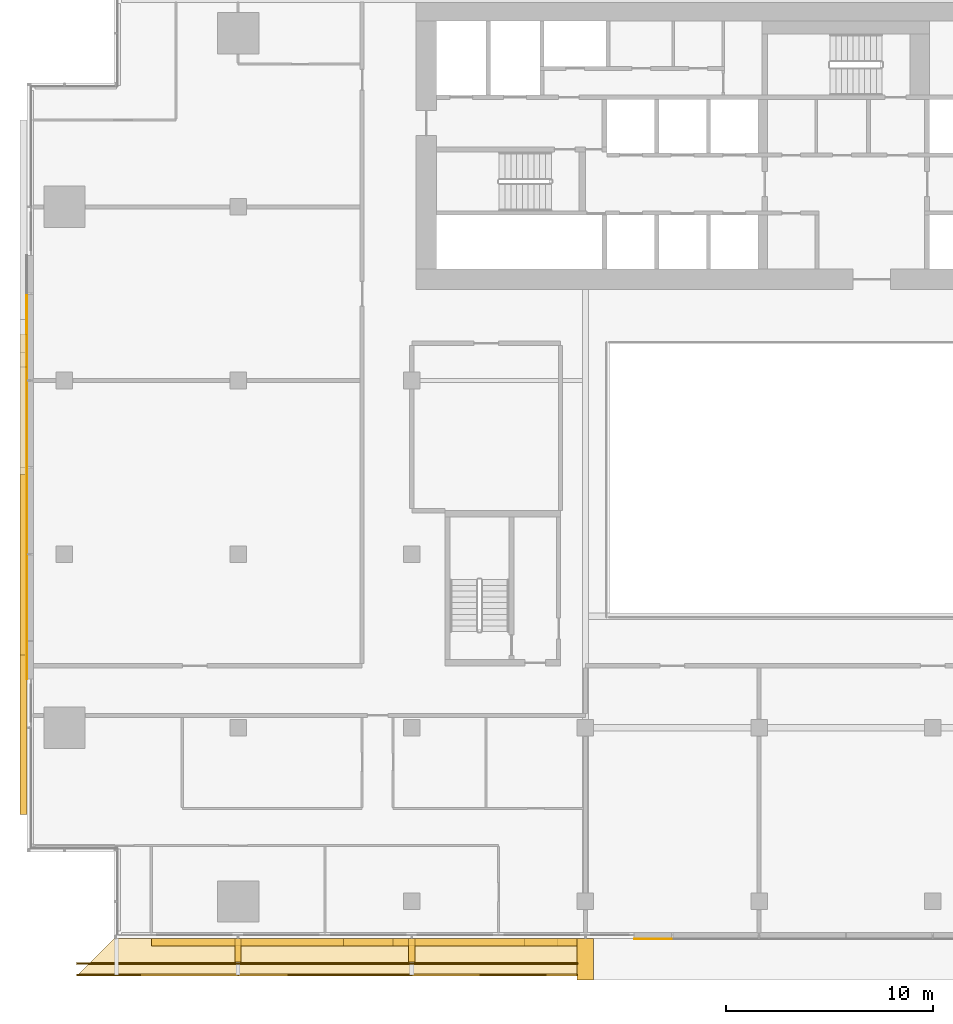
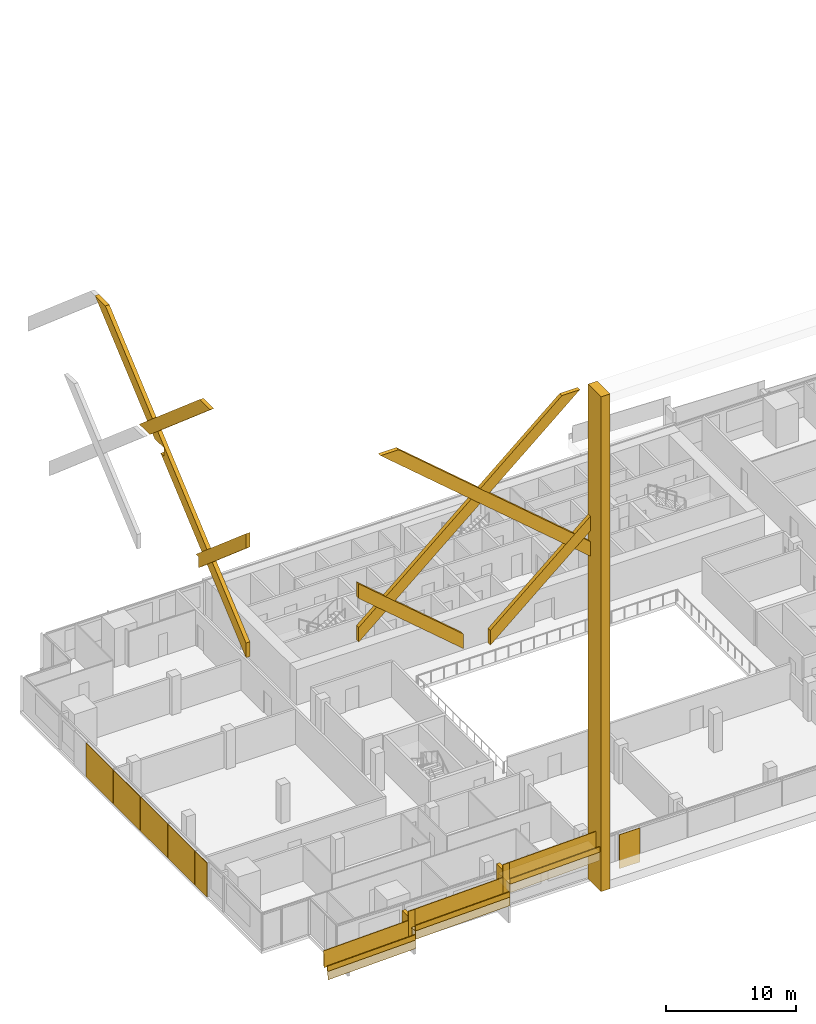
# One storey, part 26 of 30: 22 coverings, 5 railings.
"""IFC4 building model written with IfcOpenShell, lengths in metres."""

from ifc_helpers import new_model, si_unit, direction, frame, origin, origin_2d, place, context, subcontext, project, spatial, polyline, rectangle, outline, extrude, material, layer, layer_set, type_object, element, save


model = new_model("IFC4")

# Units and contexts
model_context = context("Model", 3, precision=1e-05, world=origin(), true_north=direction((0.0, 1.0)))
body_context = subcontext(model_context, "Body", "Model", "MODEL_VIEW")
ifc_project = project(units=[si_unit("LENGTHUNIT", "METRE"), si_unit("AREAUNIT", "SQUARE_METRE"), si_unit("VOLUMEUNIT", "CUBIC_METRE"), si_unit("PLANEANGLEUNIT", "RADIAN"), si_unit("MASSUNIT", "GRAM", prefix="KILO")], contexts=[model_context])

# Site, building, storey
site_placement = place(None, origin())
site = spatial("IfcSite", under=ifc_project, at=site_placement, CompositionType="ELEMENT")
building_placement = place(site_placement, origin())
building = spatial("IfcBuilding", under=site, at=building_placement, Name="Saffron Gate Tower", CompositionType="ELEMENT")
storey_placement = place(building_placement, frame((0.0, 0.0, 95.25)))
storey = spatial("IfcBuildingStorey", under=building, at=storey_placement, Name="L21", CompositionType="ELEMENT", Elevation=95.25)

# Coverings
ifc_material_1 = material(Name="Ceramic-printed bronze insulated panel")
ifc_layer_1 = layer(ifc_material_1, 0.0400390625)
ifc_layer_set_1 = layer_set([ifc_layer_1], Name="CLDA ceramic-printed bay cladding 40")
covering_type_1 = type_object("IfcCoveringType", Name="CLDA ceramic-printed bay cladding 40", PredefinedType="CLADDING", material=ifc_layer_set_1)
covering_1_placement = place(storey_placement, origin())
element("IfcCovering", 1, at=covering_1_placement, inside=storey, type_object=covering_type_1, Name="CLADDING bay panel in front of the arch", PredefinedType="CLADDING", context=body_context, shape_type="SweptSolid", body=[
    extrude(outline(polyline([(77.350830078125, 29.9599609375), (79.169921875, 29.9599609375), (79.169921875, 30.0), (77.350830078125, 30.0), (77.350830078125, 29.9599609375)])), origin(), (0.0, 0.0, 1.0), 3.199951171875),
])
covering_2_placement = place(storey_placement, origin())
element("IfcCovering", 2, at=covering_2_placement, inside=storey, type_object=covering_type_1, Name="CLADDING bay panel in front of the arch", PredefinedType="CLADDING", context=body_context, shape_type="SweptSolid", body=[
    extrude(outline(polyline([(47.9599609375, 61.169921875), (47.9599609375, 57.030029296875), (48.0, 57.030029296875), (48.0, 61.169921875), (47.9599609375, 61.169921875)])), origin(), (0.0, 0.0, 1.0), 3.199951171875),
])
covering_3_placement = place(storey_placement, origin())
element("IfcCovering", 3, at=covering_3_placement, inside=storey, type_object=covering_type_1, Name="CLADDING bay panel in front of the arch", PredefinedType="CLADDING", context=body_context, shape_type="SweptSolid", body=[
    extrude(outline(polyline([(47.9599609375, 56.969970703125), (47.9599609375, 52.830078125), (48.0, 52.830078125), (48.0, 56.969970703125), (47.9599609375, 56.969970703125)])), origin(), (0.0, 0.0, 1.0), 3.199951171875),
])
covering_4_placement = place(storey_placement, origin())
element("IfcCovering", 4, at=covering_4_placement, inside=storey, type_object=covering_type_1, Name="CLADDING bay panel in front of the arch", PredefinedType="CLADDING", context=body_context, shape_type="SweptSolid", body=[
    extrude(outline(polyline([(47.9599609375, 52.77001953125), (47.9599609375, 48.6298828125), (48.0, 48.6298828125), (48.0, 52.77001953125), (47.9599609375, 52.77001953125)])), origin(), (0.0, 0.0, 1.0), 3.199951171875),
])
covering_5_placement = place(storey_placement, origin())
element("IfcCovering", 5, at=covering_5_placement, inside=storey, type_object=covering_type_1, Name="CLADDING bay panel in front of the arch", PredefinedType="CLADDING", context=body_context, shape_type="SweptSolid", body=[
    extrude(outline(polyline([(47.9599609375, 48.570068359375), (47.9599609375, 44.429931640625), (48.0, 44.429931640625), (48.0, 48.570068359375), (47.9599609375, 48.570068359375)])), origin(), (0.0, 0.0, 1.0), 3.199951171875),
])
covering_6_placement = place(storey_placement, origin())
element("IfcCovering", 6, at=covering_6_placement, inside=storey, type_object=covering_type_1, Name="CLADDING bay panel in front of the arch", PredefinedType="CLADDING", context=body_context, shape_type="SweptSolid", body=[
    extrude(outline(polyline([(47.9599609375, 44.3701171875), (47.9599609375, 42.55078125), (48.0, 42.55078125), (48.0, 44.3701171875), (47.9599609375, 44.3701171875)])), origin(), (0.0, 0.0, 1.0), 3.199951171875),
])
ifc_layer_2 = layer(ifc_material_1, 0.800048828125)
ifc_layer_set_2 = layer_set([ifc_layer_2], Name="FN1 atrium fin")
covering_type_2 = type_object("IfcCoveringType", Name="FN1 atrium fin", PredefinedType="CLADDING", material=ifc_layer_set_2)
covering_7_placement = place(storey_placement, origin())
element("IfcCovering", 7, at=covering_7_placement, inside=storey, type_object=covering_type_2, Name="CLADDING atrium fin", PredefinedType="CLADDING", context=body_context, shape_type="SweptSolid", body=[
    extrude(outline(polyline([(74.60009765625, 30.0), (75.39990234375, 30.0), (75.39990234375, 28.0), (74.60009765625, 28.0), (74.60009765625, 30.0)])), origin(), (0.0, 0.0, 1.0), 46.5),
])
ifc_material_2 = material(Name="Timber, thermally modified ash", Category="wood")
ifc_layer_3 = layer(ifc_material_2, 0.800048828125)
ifc_layer_set_3 = layer_set([ifc_layer_3], Name="LD1 ledge timber")
covering_type_3 = type_object("IfcCoveringType", Name="LD1 ledge timber", PredefinedType="CLADDING", material=ifc_layer_set_3)
covering_8_placement = place(storey_placement, frame((52.199951171875, 30.0, 0.89990234375), z_axis=(-0.028789477025, 2.391759e-05, 0.999585496814), x_axis=(0.9995854971, -1.72e-10, 0.028789477033)))
element("IfcCovering", 8, at=covering_8_placement, inside=storey, type_object=covering_type_3, Name="LEDGE", PredefinedType="CLADDING", context=body_context, shape_type="SweptSolid", body=[
    extrude(outline(polyline([(0.0, 0.0), (6.002489288687248, -8.470329472543003e-22), (6.002489288996045, -1.8000488276101398), (-1.800792782710612, -1.8000488299785034), (0.0, 0.0)])), origin(), (0.0, 0.0, -1.0), 0.800048828125),
])
covering_9_placement = place(storey_placement, frame((58.199951171875, 30.0, 1.93017578125), z_axis=(-0.028790339263, 0.0, 0.999585472266), x_axis=(0.999585472266, 0.0, 0.028790339263)))
element("IfcCovering", 9, at=covering_9_placement, inside=storey, type_object=covering_type_3, Name="LEDGE", PredefinedType="CLADDING", context=body_context, shape_type="SweptSolid", body=[
    extrude(outline(polyline([(0.0, 0.0), (8.403630022085892, 0.0), (8.403630022085892, -1.800048828125), (0.0, -1.800048828125), (0.0, 0.0)])), origin(), (0.0, 0.0, -1.0), 0.800048828125),
])
covering_10_placement = place(storey_placement, frame((66.60009765625, 30.0, 3.37255859375), z_axis=(-0.028796646555, 0.0, 0.999585290582), x_axis=(0.999585290582, 0.0, 0.028796646555)))
element("IfcCovering", 10, at=covering_10_placement, inside=storey, type_object=covering_type_3, Name="LEDGE", PredefinedType="CLADDING", context=body_context, shape_type="SweptSolid", body=[
    extrude(outline(polyline([(0.0, 0.0), (8.003319051788862, 0.0), (8.003319051788862, -1.800048828125), (0.0, -1.800048828125), (0.0, 0.0)])), origin(), (0.0, 0.0, -1.0), 0.800048828125),
])
ifc_layer_4 = layer(ifc_material_2, 0.080078125)
ifc_layer_set_4 = layer_set([ifc_layer_4], Name="LD2 ledge planter trough")
covering_type_4 = type_object("IfcCoveringType", Name="LD2 ledge planter trough", PredefinedType="CLADDING", material=ifc_layer_set_4)
covering_11_placement = place(storey_placement, frame((50.39990234375, 28.199951171875, 0.84814453125), z_axis=(0.0, -1.0, 0.0), x_axis=(0.999585655924, 0.0, 0.028783962047)))
element("IfcCovering", 11, at=covering_11_placement, inside=storey, type_object=covering_type_4, Name="LEDGE planter trough", PredefinedType="CLADDING", context=body_context, shape_type="SweptSolid", body=[
    extrude(outline(polyline([(0.0, 0.0), (7.803282071825423, 2.7755575615628914e-17), (7.817674052849086, 0.4997928279619612), (0.014391981023662846, 0.4997928279619612), (0.0, 0.0)])), origin(), (0.0, 0.0, -1.0), 0.080078125),
])
covering_12_placement = place(storey_placement, frame((58.199951171875, 28.199951171875, 1.93017578125), z_axis=(0.0, -1.0, 0.0), x_axis=(0.999585472266, 0.0, 0.028790339263)))
element("IfcCovering", 12, at=covering_12_placement, inside=storey, type_object=covering_type_4, Name="LEDGE planter trough", PredefinedType="CLADDING", context=body_context, shape_type="SweptSolid", body=[
    extrude(outline(polyline([(0.0, 0.0), (8.403630022085892, 0.0), (8.418025191717298, 0.4997927361329725), (0.014395169631405694, 0.4997927361329725), (0.0, 0.0)])), origin(), (0.0, 0.0, -1.0), 0.080078125),
])
covering_13_placement = place(storey_placement, frame((66.60009765625, 28.199951171875, 3.37255859375), z_axis=(0.0, -1.0, 0.0), x_axis=(0.999585290582, 0.0, 0.028796646555)))
element("IfcCovering", 13, at=covering_13_placement, inside=storey, type_object=covering_type_4, Name="LEDGE planter trough", PredefinedType="CLADDING", context=body_context, shape_type="SweptSolid", body=[
    extrude(outline(polyline([(0.0, 0.0), (8.003319051788862, 0.0), (8.017717375066283, 0.4997926452908234), (0.014398323277421184, 0.49979264529082346), (0.0, 0.0)])), origin(), (0.0, 0.0, -1.0), 0.080078125),
])
ifc_layer_5 = layer(ifc_material_2, 0.300048828125)
ifc_layer_set_5 = layer_set([ifc_layer_5], Name="LD3 ledge riser fin")
covering_type_5 = type_object("IfcCoveringType", Name="LD3 ledge riser fin", PredefinedType="CLADDING", material=ifc_layer_set_5)
covering_14_placement = place(storey_placement, frame((58.199951171875, 29.43994140625, 0.27294921875), z_axis=(0.0, 0.0, 1.0), x_axis=(1.0, 0.0, 0.0)))
element("IfcCovering", 14, at=covering_14_placement, inside=storey, type_object=covering_type_5, Name="LEDGE riser fin", PredefinedType="CLADDING", context=body_context, shape_type="SweptSolid", body=[
    extrude(rectangle(XDim=0.300048828125, YDim=1.1201171875, at=origin_2d()), origin(), (0.0, 0.0, 1.0), 2.557373046875),
])
covering_15_placement = place(storey_placement, frame((66.60009765625, 29.43994140625, 1.372314453125), z_axis=(0.0, 0.0, 1.0), x_axis=(1.0, 0.0, 0.0)))
element("IfcCovering", 15, at=covering_15_placement, inside=storey, type_object=covering_type_5, Name="LEDGE riser fin", PredefinedType="CLADDING", context=body_context, shape_type="SweptSolid", body=[
    extrude(rectangle(XDim=0.300048828125, YDim=1.1201171875, at=origin_2d()), origin(), (0.0, 0.0, 1.0), 2.900390625),
])

# Railings
railing_type = type_object("IfcRailingType", Name="LG1 ledge balustrade", PredefinedType="BALUSTRADE", material=ifc_material_2)
railing_1_placement = place(storey_placement, frame((50.39990234375, 28.800048828125, 0.84814453125)))
element("IfcRailing", 16, at=railing_1_placement, inside=storey, type_object=railing_type, Name="LEDGE BALUSTRADE", PredefinedType="BALUSTRADE", context=body_context, shape_type="SweptSolid", body=[
    extrude(rectangle(XDim=0.06005859375, YDim=1.60009765625, at=origin_2d()), frame((0.0, 0.0, 0.800048828125), z_axis=(0.999585655924, 0.0, 0.028783962047), x_axis=(0.0, 1.0, 0.0)), (0.0, 0.0, 1.0), 7.80322265625),
])
railing_2_placement = place(storey_placement, frame((58.199951171875, 28.800048828125, 1.93017578125)))
element("IfcRailing", 17, at=railing_2_placement, inside=storey, type_object=railing_type, Name="LEDGE BALUSTRADE", PredefinedType="BALUSTRADE", context=body_context, shape_type="SweptSolid", body=[
    extrude(rectangle(XDim=0.06005859375, YDim=1.60009765625, at=origin_2d()), frame((0.0, 0.0, 0.800048828125), z_axis=(0.999585472266, 0.0, 0.028790339263), x_axis=(0.0, 1.0, 0.0)), (0.0, 0.0, 1.0), 8.403564453125),
])
railing_3_placement = place(storey_placement, frame((57.89990234375, 28.800048828125, 1.07275390625)))
element("IfcRailing", 18, at=railing_3_placement, inside=storey, type_object=railing_type, Name="LEDGE BALUSTRADE", PredefinedType="BALUSTRADE", context=body_context, shape_type="SweptSolid", body=[
    extrude(rectangle(XDim=0.06005859375, YDim=2.45751953125, at=origin_2d()), frame((0.0, 0.0, 1.228759765625), z_axis=(1.0, 0.0, 0.0), x_axis=(0.0, 1.0, 0.0)), (0.0, 0.0, 1.0), 0.60009765625),
])
railing_4_placement = place(storey_placement, frame((66.60009765625, 28.800048828125, 3.37255859375)))
element("IfcRailing", 19, at=railing_4_placement, inside=storey, type_object=railing_type, Name="LEDGE BALUSTRADE", PredefinedType="BALUSTRADE", context=body_context, shape_type="SweptSolid", body=[
    extrude(rectangle(XDim=0.06005859375, YDim=1.60009765625, at=origin_2d()), frame((0.0, 0.0, 0.800048828125), z_axis=(0.999585290582, 0.0, 0.028796646555), x_axis=(0.0, 1.0, 0.0)), (0.0, 0.0, 1.0), 8.00341796875),
])
railing_5_placement = place(storey_placement, frame((66.300048828125, 28.800048828125, 2.172119140625)))
element("IfcRailing", 20, at=railing_5_placement, inside=storey, type_object=railing_type, Name="LEDGE BALUSTRADE", PredefinedType="BALUSTRADE", context=body_context, shape_type="SweptSolid", body=[
    extrude(rectangle(XDim=0.06005859375, YDim=2.80029296875, at=origin_2d()), frame((0.0, 0.0, 1.400146484375), z_axis=(1.0, 0.0, 0.0), x_axis=(0.0, 1.0, 0.0)), (0.0, 0.0, 1.0), 0.599853515625),
])

# Coverings
ifc_layer_6 = layer(ifc_material_1, 0.35009765625)
ifc_layer_set_6 = layer_set([ifc_layer_6], Name="LZ1 lozenge lattice bar 1600")
covering_type_6 = type_object("IfcCoveringType", Name="LZ1 lozenge lattice bar 1600", PredefinedType="CLADDING", material=ifc_layer_set_6)
covering_16_placement = place(storey_placement, frame((54.0, 29.64990234375, 29.6572265625), z_axis=(0.0, -1.0, 0.0), x_axis=(0.759256602365, 0.0, 0.650791373456)))
element("IfcCovering", 21, at=covering_16_placement, inside=storey, type_object=covering_type_6, Name="CLADDING lozenge lattice bar", PredefinedType="CLADDING", context=body_context, shape_type="SweptSolid", body=[
    extrude(outline(polyline([(0.0, 0.0), (25.88044974852383, 0.0), (24.665750403968218, 1.041170866761954), (0.8924548693120544, 1.0411973475307301), (0.0, 0.0)])), origin(), (0.0, 0.0, -1.0), 0.35009765625),
])
covering_17_placement = place(storey_placement, frame((65.699951171875, 29.64990234375, 26.6572265625), z_axis=(0.0, -1.0, 0.0), x_axis=(0.0, 0.0, -1.0)))
element("IfcCovering", 22, at=covering_17_placement, inside=storey, type_object=covering_type_6, Name="CLADDING lozenge lattice bar", PredefinedType="CLADDING", context=body_context, shape_type="SweptSolid", body=[
    extrude(outline(polyline([(0.0, 0.0), (1.37158203125, 0.0), (-6.599853515625, 9.300048828125), (-7.971435546875, 9.300048828125), (0.0, 0.0)])), origin(), (0.0, 0.0, -1.0), 0.35009765625),
])
covering_18_placement = place(storey_placement, frame((63.300048828125, 29.64990234375, 25.800048828125), z_axis=(0.0, -1.0, 0.0), x_axis=(0.0, 0.0, 1.0)))
element("IfcCovering", 23, at=covering_18_placement, inside=storey, type_object=covering_type_6, Name="CLADDING lozenge lattice bar", PredefinedType="CLADDING", context=body_context, shape_type="SweptSolid", body=[
    extrude(outline(polyline([(0.0, 0.0), (1.371337890625, 0.0), (9.3427734375, 9.300048828125), (7.971435546875, 9.300048828125), (0.0, 0.0)])), origin(), (0.0, 0.0, -1.0), 0.35009765625),
])
covering_19_placement = place(storey_placement, frame((75.0, 29.64990234375, 30.17138671875), z_axis=(0.0, -1.0, 0.0), x_axis=(0.0, 0.0, 1.0)))
element("IfcCovering", 24, at=covering_19_placement, inside=storey, type_object=covering_type_6, Name="CLADDING lozenge lattice bar", PredefinedType="CLADDING", context=body_context, shape_type="SweptSolid", body=[
    extrude(outline(polyline([(0.0, 0.0), (1.37158203125, 0.0), (16.32861328125, 17.449951171875), (16.32861328125, 19.050048828125), (0.0, 0.0)])), origin(), (0.0, 0.0, -1.0), 0.35009765625),
])
covering_20_placement = place(storey_placement, frame((47.64990234375, 52.446044921875, 38.531982421875), z_axis=(-1.0, 0.0, 0.0), x_axis=(0.0, -0.999586778905, 0.028744937603)))
element("IfcCovering", 25, at=covering_20_placement, inside=storey, type_object=covering_type_6, Name="CLADDING lozenge lattice bar", PredefinedType="CLADDING", context=body_context, shape_type="SweptSolid", body=[
    extrude(outline(polyline([(0.0, 0.0), (1.6562019557102479, 0.0), (11.120533806419362, 7.651520297340154), (9.52134138401551, 7.697507986820872), (0.0, 0.0)])), origin(), (0.0, 0.0, -1.0), 0.35009765625),
])
covering_21_placement = place(storey_placement, frame((47.64990234375, 43.7099609375, 31.6201171875), z_axis=(-1.0, 0.0, 0.0), x_axis=(0.0, -1.0, 0.0)))
element("IfcCovering", 26, at=covering_21_placement, inside=storey, type_object=covering_type_6, Name="CLADDING lozenge lattice bar", PredefinedType="CLADDING", context=body_context, shape_type="SweptSolid", body=[
    extrude(outline(polyline([(0.0, 0.0), (0.35986328125, 0.0), (0.35986328125, -1.06298828125), (7.7099609375, 5.237060546875), (7.7099609375, 6.6083984375), (0.0, 0.0)])), origin(), (0.0, 0.0, -1.0), 0.35009765625),
])
covering_22_placement = place(storey_placement, frame((47.64990234375, 36.0, 27.94287109375), z_axis=(-1.0, 0.0, 0.0), x_axis=(0.0, 0.75925539362, 0.650792783656)))
element("IfcCovering", 27, at=covering_22_placement, inside=storey, type_object=covering_type_6, Name="CLADDING lozenge lattice bar", PredefinedType="CLADDING", context=body_context, shape_type="SweptSolid", body=[
    extrude(outline(polyline([(0.0, 0.0), (28.51465070340317, -1.7763568394002505e-15), (29.72953347922975, 1.0413320078325867), (17.59252328347419, 1.0413359459888678), (16.530143113776106, 0.07605698933298832), (16.00947710985981, 0.6834983772462779), (16.40337788069177, 1.0413866988734188), (-0.8924568031729704, 1.041195689932544), (0.0, 0.0)])), origin(), (0.0, 0.0, -1.0), 0.35009765625),
])

save(model, "model.ifc")
